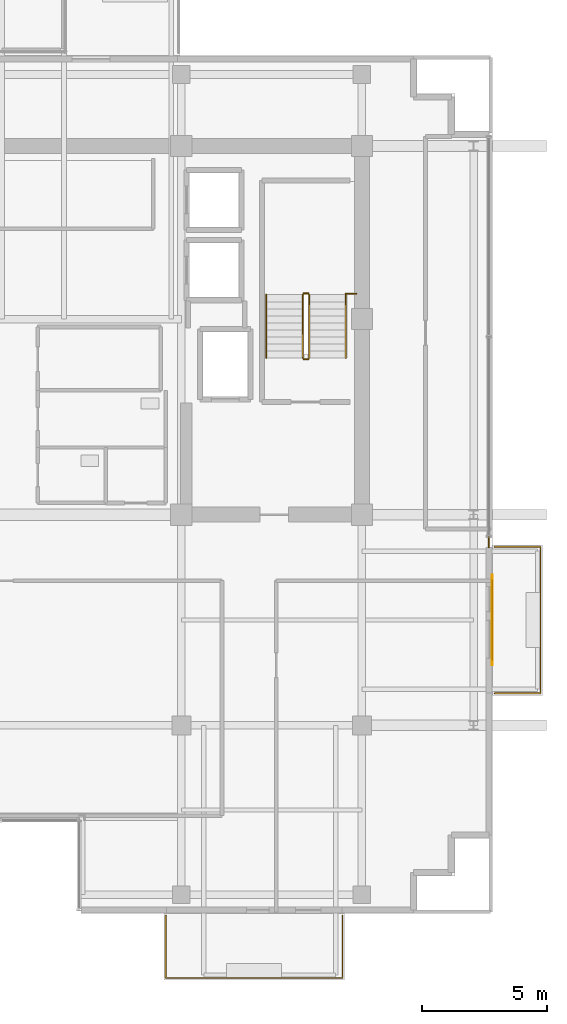
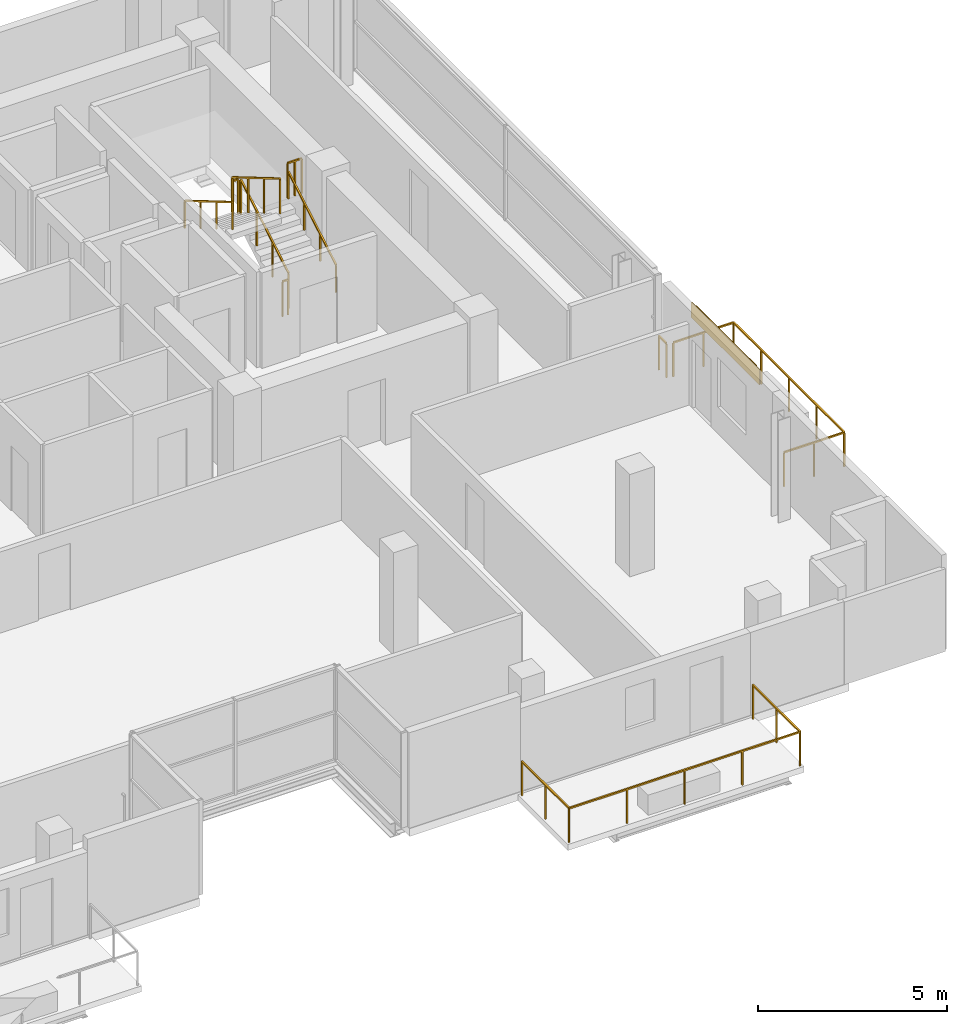
# One storey, part 22 of 24: 10 railings, 1 covering, 1 shading device.
"""IFC4 building model written with IfcOpenShell, lengths in metres."""

from ifc_helpers import new_model, si_unit, direction, frame, origin, origin_2d, place, context, subcontext, project, spatial, rectangle, extrude, source, transform, mapped, material, layer, layer_set, type_object, element, save


model = new_model("IFC4")

# Units and contexts
model_context = context("Model", 3, precision=1e-05, world=origin(), true_north=direction((0.0, 1.0)))
body_context = subcontext(model_context, "Body", "Model", "MODEL_VIEW")
ifc_project = project(units=[si_unit("LENGTHUNIT", "METRE"), si_unit("AREAUNIT", "SQUARE_METRE"), si_unit("VOLUMEUNIT", "CUBIC_METRE"), si_unit("PLANEANGLEUNIT", "RADIAN"), si_unit("MASSUNIT", "GRAM", prefix="KILO")], contexts=[model_context])

# Site, building, storey
site_placement = place(None, origin())
site = spatial("IfcSite", under=ifc_project, at=site_placement, CompositionType="ELEMENT")
building_placement = place(site_placement, origin())
building = spatial("IfcBuilding", under=site, at=building_placement, Name="Zarnakvel Exchange Tower", CompositionType="ELEMENT")
storey_placement = place(building_placement, frame((0.0, 0.0, 205.60009765625)))
storey = spatial("IfcBuildingStorey", under=building, at=storey_placement, Name="L57", CompositionType="ELEMENT", Elevation=205.60009765625)

# Railings
ifc_material_1 = material(Name="Architectural Bronze Anodised Aluminium", Category="aluminium")
railing_type_1 = type_object("IfcRailingType", Name="GR-02", PredefinedType="GUARDRAIL", material=ifc_material_1)
railing_1_placement = place(storey_placement, frame((6.580078125, -17.179931640625, -0.06005859375)))
element("IfcRailing", 1, at=railing_1_placement, inside=storey, type_object=railing_type_1, Name="L57 Balcony Guardrail BAL-L57-SE", PredefinedType="GUARDRAIL", context=body_context, shape_type="SweptSolid", body=[
    extrude(rectangle(XDim=0.048095703125, YDim=0.048095703125, at=origin_2d()), frame((0.0, 0.0, 1.09619140625), z_axis=(0.0, -1.0, 0.0), x_axis=(1.0, 0.0, 0.0)), (0.0, 0.0, 1.0), 2.489990234375),
    extrude(rectangle(XDim=0.048095703125, YDim=0.048095703125, at=origin_2d()), frame((0.0, -2.489990234375, 1.09619140625), z_axis=(1.0, 0.0, 0.0), x_axis=(0.0, 1.0, 0.0)), (0.0, 0.0, 1.0), 7.0400390625),
    extrude(rectangle(XDim=0.048095703125, YDim=0.048095703125, at=origin_2d()), frame((7.0400390625, -2.489990234375, 1.09619140625), z_axis=(0.0, 1.0, 0.0), x_axis=(-1.0, 0.0, 0.0)), (0.0, 0.0, 1.0), 2.489990234375),
    extrude(rectangle(XDim=0.0419921875, YDim=0.0419921875, at=origin_2d()), origin(), (0.0, 0.0, 1.0), 1.072021484375),
    extrude(rectangle(XDim=0.0419921875, YDim=0.0419921875, at=origin_2d()), frame((0.0, -1.2451171875, 0.0)), (0.0, 0.0, 1.0), 1.072021484375),
    extrude(rectangle(XDim=0.0419921875, YDim=0.0419921875, at=origin_2d()), frame((0.0, -2.489990234375, 0.0)), (0.0, 0.0, 1.0), 1.072021484375),
    extrude(rectangle(XDim=0.0419921875, YDim=0.0419921875, at=origin_2d()), frame((1.760009765625, -2.489990234375, 0.0)), (0.0, 0.0, 1.0), 1.072021484375),
    extrude(rectangle(XDim=0.0419921875, YDim=0.0419921875, at=origin_2d()), frame((3.52001953125, -2.489990234375, 0.0)), (0.0, 0.0, 1.0), 1.072021484375),
    extrude(rectangle(XDim=0.0419921875, YDim=0.0419921875, at=origin_2d()), frame((5.280029296875, -2.489990234375, 0.0)), (0.0, 0.0, 1.0), 1.072021484375),
    extrude(rectangle(XDim=0.0419921875, YDim=0.0419921875, at=origin_2d()), frame((7.0400390625, -2.489990234375, 0.0)), (0.0, 0.0, 1.0), 1.072021484375),
    extrude(rectangle(XDim=0.0419921875, YDim=0.0419921875, at=origin_2d()), frame((7.0400390625, -1.2451171875, 0.0)), (0.0, 0.0, 1.0), 1.072021484375),
    extrude(rectangle(XDim=0.0419921875, YDim=0.0419921875, at=origin_2d()), frame((7.0400390625, 0.0, 0.0)), (0.0, 0.0, 1.0), 1.072021484375),
])
railing_2_placement = place(storey_placement, frame((19.679931640625, -8.320068359375, -0.06005859375)))
element("IfcRailing", 2, at=railing_2_placement, inside=storey, type_object=railing_type_1, Name="L57 Balcony Guardrail BAL-L57-E", PredefinedType="GUARDRAIL", context=body_context, shape_type="SweptSolid", body=[
    extrude(rectangle(XDim=0.048095703125, YDim=0.048095703125, at=origin_2d()), frame((0.0, 0.0, 1.09619140625), z_axis=(1.0, 0.0, 0.0), x_axis=(0.0, 1.0, 0.0)), (0.0, 0.0, 1.0), 1.840087890625),
    extrude(rectangle(XDim=0.048095703125, YDim=0.048095703125, at=origin_2d()), frame((1.840087890625, 0.0, 1.09619140625), z_axis=(0.0, 1.0, 0.0), x_axis=(-1.0, 0.0, 0.0)), (0.0, 0.0, 1.0), 5.840087890625),
    extrude(rectangle(XDim=0.048095703125, YDim=0.048095703125, at=origin_2d()), frame((1.840087890625, 5.840087890625, 1.09619140625), z_axis=(-1.0, 0.0, 0.0), x_axis=(0.0, -1.0, 0.0)), (0.0, 0.0, 1.0), 1.840087890625),
    extrude(rectangle(XDim=0.0419921875, YDim=0.0419921875, at=origin_2d()), origin(), (0.0, 0.0, 1.0), 1.072021484375),
    extrude(rectangle(XDim=0.0419921875, YDim=0.0419921875, at=origin_2d()), frame((0.919921875, 0.0, 0.0)), (0.0, 0.0, 1.0), 1.072021484375),
    extrude(rectangle(XDim=0.0419921875, YDim=0.0419921875, at=origin_2d()), frame((1.840087890625, 0.0, 0.0)), (0.0, 0.0, 1.0), 1.072021484375),
    extrude(rectangle(XDim=0.0419921875, YDim=0.0419921875, at=origin_2d()), frame((1.840087890625, 1.4599609375, 0.0)), (0.0, 0.0, 1.0), 1.072021484375),
    extrude(rectangle(XDim=0.0419921875, YDim=0.0419921875, at=origin_2d()), frame((1.840087890625, 2.919921875, 0.0)), (0.0, 0.0, 1.0), 1.072021484375),
    extrude(rectangle(XDim=0.0419921875, YDim=0.0419921875, at=origin_2d()), frame((1.840087890625, 4.380126953125, 0.0)), (0.0, 0.0, 1.0), 1.072021484375),
    extrude(rectangle(XDim=0.0419921875, YDim=0.0419921875, at=origin_2d()), frame((1.840087890625, 5.840087890625, 0.0)), (0.0, 0.0, 1.0), 1.072021484375),
    extrude(rectangle(XDim=0.0419921875, YDim=0.0419921875, at=origin_2d()), frame((0.919921875, 5.840087890625, 0.0)), (0.0, 0.0, 1.0), 1.072021484375),
    extrude(rectangle(XDim=0.0419921875, YDim=0.0419921875, at=origin_2d()), frame((0.0, 5.840087890625, 0.0)), (0.0, 0.0, 1.0), 1.072021484375),
])
railing_3_placement = place(storey_placement, frame((19.4599609375, -2.10009765625, 0.0)))
element("IfcRailing", 3, at=railing_3_placement, inside=storey, type_object=railing_type_1, Name="L57 Corner Spandrel Balustrade #11", PredefinedType="GUARDRAIL", context=body_context, shape_type="SweptSolid", body=[
    extrude(rectangle(XDim=0.048095703125, YDim=0.048095703125, at=origin_2d()), frame((0.0, 0.0, 1.09619140625), z_axis=(0.0, -1.0, 0.0), x_axis=(1.0, 0.0, 0.0)), (0.0, 0.0, 1.0), 0.39990234375),
    extrude(rectangle(XDim=0.0419921875, YDim=0.0419921875, at=origin_2d()), origin(), (0.0, 0.0, 1.0), 1.072021484375),
    extrude(rectangle(XDim=0.0419921875, YDim=0.0419921875, at=origin_2d()), frame((0.0, -0.39990234375, 0.0)), (0.0, 0.0, 1.0), 1.072021484375),
])
ifc_material_2 = material(Name="Brushed Stainless Steel", Category="steel")
railing_type_2 = type_object("IfcRailingType", Name="HR-01", PredefinedType="HANDRAIL", material=ifc_material_2)
railing_4_placement = place(storey_placement, frame((13.75, 5.050048828125, 0.164794921875)))
element("IfcRailing", 4, at=railing_4_placement, inside=storey, type_object=railing_type_2, Name="L57 ST-02 stair handrail 1", PredefinedType="HANDRAIL", context=body_context, shape_type="SweptSolid", body=[
    extrude(rectangle(XDim=0.048095703125, YDim=0.048095703125, at=origin_2d()), frame((0.0, 0.0, 0.8759765625), z_axis=(0.0, 0.86152411907, 0.507716645641), x_axis=(-1.0, 0.0, 0.0)), (0.0, 0.0, 1.0), 2.925048828125),
    extrude(rectangle(XDim=0.0419921875, YDim=0.0419921875, at=origin_2d()), origin(), (0.0, 0.0, 1.0), 0.851806640625),
    extrude(rectangle(XDim=0.0419921875, YDim=0.0419921875, at=origin_2d()), frame((0.0, 0.840087890625, 0.4951171875)), (0.0, 0.0, 1.0), 0.851806640625),
    extrude(rectangle(XDim=0.0419921875, YDim=0.0419921875, at=origin_2d()), frame((0.0, 1.679931640625, 0.989990234375)), (0.0, 0.0, 1.0), 0.851806640625),
    extrude(rectangle(XDim=0.0419921875, YDim=0.0419921875, at=origin_2d()), frame((0.0, 2.52001953125, 1.485107421875)), (0.0, 0.0, 1.0), 0.851806640625),
])
railing_5_placement = place(storey_placement, frame((10.590087890625, 7.570068359375, 1.81494140625)))
element("IfcRailing", 5, at=railing_5_placement, inside=storey, type_object=railing_type_2, Name="L57 ST-02 stair handrail 2", PredefinedType="HANDRAIL", context=body_context, shape_type="SweptSolid", body=[
    extrude(rectangle(XDim=0.048095703125, YDim=0.048095703125, at=origin_2d()), frame((0.0, 0.0, 0.8759765625), z_axis=(0.0, -0.861560626758, 0.507654692109), x_axis=(1.0, 0.0, 0.0)), (0.0, 0.0, 1.0), 2.925048828125),
    extrude(rectangle(XDim=0.0419921875, YDim=0.0419921875, at=origin_2d()), origin(), (0.0, 0.0, 1.0), 0.851806640625),
    extrude(rectangle(XDim=0.0419921875, YDim=0.0419921875, at=origin_2d()), frame((0.0, -0.840087890625, 0.494873046875)), (0.0, 0.0, 1.0), 0.851806640625),
    extrude(rectangle(XDim=0.0419921875, YDim=0.0419921875, at=origin_2d()), frame((0.0, -1.679931640625, 0.989990234375)), (0.0, 0.0, 1.0), 0.851806640625),
    extrude(rectangle(XDim=0.0419921875, YDim=0.0419921875, at=origin_2d()), frame((0.0, -2.52001953125, 1.48486328125)), (0.0, 0.0, 1.0), 0.851806640625),
])
railing_type_3 = type_object("IfcRailingType", Name="SG-01", PredefinedType="GUARDRAIL", material=ifc_material_1)
railing_6_placement = place(storey_placement, frame((12.300048828125, 5.050048828125, 0.164794921875)))
element("IfcRailing", 6, at=railing_6_placement, inside=storey, type_object=railing_type_3, Name="L57 ST-02 stair guard 1", PredefinedType="GUARDRAIL", context=body_context, shape_type="SweptSolid", body=[
    extrude(rectangle(XDim=0.048095703125, YDim=0.048095703125, at=origin_2d()), frame((0.0, 0.0, 1.1259765625), z_axis=(0.0, 0.86152411907, 0.507716645641), x_axis=(-1.0, 0.0, 0.0)), (0.0, 0.0, 1.0), 2.925048828125),
    extrude(rectangle(XDim=0.0419921875, YDim=0.0419921875, at=origin_2d()), origin(), (0.0, 0.0, 1.0), 1.101806640625),
    extrude(rectangle(XDim=0.0419921875, YDim=0.0419921875, at=origin_2d()), frame((0.0, 0.840087890625, 0.4951171875)), (0.0, 0.0, 1.0), 1.101806640625),
    extrude(rectangle(XDim=0.0419921875, YDim=0.0419921875, at=origin_2d()), frame((0.0, 1.679931640625, 0.989990234375)), (0.0, 0.0, 1.0), 1.101806640625),
    extrude(rectangle(XDim=0.0419921875, YDim=0.0419921875, at=origin_2d()), frame((0.0, 2.52001953125, 1.485107421875)), (0.0, 0.0, 1.0), 1.101806640625),
])
railing_7_placement = place(storey_placement, frame((12.25, 7.6201171875, 1.64990234375)))
element("IfcRailing", 7, at=railing_7_placement, inside=storey, type_object=railing_type_3, Name="L57 ST-02 stair guard 2", PredefinedType="GUARDRAIL", context=body_context, shape_type="SweptSolid", body=[
    extrude(rectangle(XDim=0.048095703125, YDim=0.048095703125, at=origin_2d()), frame((0.0, 0.0, 1.1259765625), z_axis=(-1.0, 0.0, 0.0), x_axis=(0.0, -1.0, 0.0)), (0.0, 0.0, 1.0), 0.159912109375),
    extrude(rectangle(XDim=0.0419921875, YDim=0.0419921875, at=origin_2d()), origin(), (0.0, 0.0, 1.0), 1.101806640625),
    extrude(rectangle(XDim=0.0419921875, YDim=0.0419921875, at=origin_2d()), frame((-0.159912109375, 0.0, 0.0)), (0.0, 0.0, 1.0), 1.101806640625),
])
railing_8_placement = place(storey_placement, frame((12.0400390625, 7.570068359375, 1.81494140625)))
element("IfcRailing", 8, at=railing_8_placement, inside=storey, type_object=railing_type_3, Name="L57 ST-02 stair guard 3", PredefinedType="GUARDRAIL", context=body_context, shape_type="SweptSolid", body=[
    extrude(rectangle(XDim=0.048095703125, YDim=0.048095703125, at=origin_2d()), frame((0.0, 0.0, 1.1259765625), z_axis=(0.0, -0.861560626758, 0.507654692109), x_axis=(1.0, 0.0, 0.0)), (0.0, 0.0, 1.0), 2.925048828125),
    extrude(rectangle(XDim=0.0419921875, YDim=0.0419921875, at=origin_2d()), origin(), (0.0, 0.0, 1.0), 1.101806640625),
    extrude(rectangle(XDim=0.0419921875, YDim=0.0419921875, at=origin_2d()), frame((0.0, -0.840087890625, 0.494873046875)), (0.0, 0.0, 1.0), 1.101806640625),
    extrude(rectangle(XDim=0.0419921875, YDim=0.0419921875, at=origin_2d()), frame((0.0, -1.679931640625, 0.989990234375)), (0.0, 0.0, 1.0), 1.101806640625),
    extrude(rectangle(XDim=0.0419921875, YDim=0.0419921875, at=origin_2d()), frame((0.0, -2.52001953125, 1.48486328125)), (0.0, 0.0, 1.0), 1.101806640625),
])
railing_9_placement = place(storey_placement, frame((12.25, 5.0, 0.0)))
element("IfcRailing", 9, at=railing_9_placement, inside=storey, type_object=railing_type_3, Name="L57 ST-02 stair guard 4", PredefinedType="GUARDRAIL", context=body_context, shape_type="SweptSolid", body=[
    extrude(rectangle(XDim=0.048095703125, YDim=0.048095703125, at=origin_2d()), frame((0.0, 0.0, 1.1259765625), z_axis=(-1.0, 0.0, 0.0), x_axis=(0.0, -1.0, 0.0)), (0.0, 0.0, 1.0), 0.159912109375),
    extrude(rectangle(XDim=0.0419921875, YDim=0.0419921875, at=origin_2d()), origin(), (0.0, 0.0, 1.0), 1.101806640625),
    extrude(rectangle(XDim=0.0419921875, YDim=0.0419921875, at=origin_2d()), frame((-0.159912109375, 0.0, 0.0)), (0.0, 0.0, 1.0), 1.101806640625),
])
railing_10_placement = place(storey_placement, frame((13.75, 7.610107421875, 1.64990234375)))
element("IfcRailing", 10, at=railing_10_placement, inside=storey, type_object=railing_type_3, Name="L57 ST-02 Landing Slot Guardrail", PredefinedType="GUARDRAIL", context=body_context, shape_type="SweptSolid", body=[
    extrude(rectangle(XDim=0.048095703125, YDim=0.048095703125, at=origin_2d()), frame((0.0, 0.0, 1.1259765625), z_axis=(1.0, 0.0, 0.0), x_axis=(0.0, 1.0, 0.0)), (0.0, 0.0, 1.0), 0.429931640625),
    extrude(rectangle(XDim=0.0419921875, YDim=0.0419921875, at=origin_2d()), origin(), (0.0, 0.0, 1.0), 1.101806640625),
    extrude(rectangle(XDim=0.0419921875, YDim=0.0419921875, at=origin_2d()), frame((0.21484375, 0.0, 0.0)), (0.0, 0.0, 1.0), 1.101806640625),
    extrude(rectangle(XDim=0.0419921875, YDim=0.0419921875, at=origin_2d()), frame((0.429931640625, 0.0, 0.0)), (0.0, 0.0, 1.0), 1.101806640625),
])

# Shading device
ifc_material_3 = material(Name="Perforated Architectural Bronze Screen", Category="aluminium")
ifc_layer_1 = layer(ifc_material_3, 0.044921875)
ifc_layer_set_1 = layer_set([ifc_layer_1], Name="Perforated Architectural Bronze Screen")
shading_device_type = type_object("IfcShadingDeviceType", Name="SS-01", PredefinedType="JALOUSIE", material=ifc_layer_set_1)
shared_shape_1 = source(origin(), body_context, "Body", "SweptSolid", [
    extrude(rectangle(XDim=3.199951171875, YDim=0.044921875, at=origin_2d()), origin(), (0.0, 0.0, 1.0), 0.4951171875),
])
shading_device_placement = place(storey_placement, frame((19.6005859375, -5.39990234375, 2.559814453125), z_axis=(0.0, 0.0, 1.0), x_axis=(0.0, -1.0, 0.0)))
element("IfcShadingDevice", 11, at=shading_device_placement, inside=storey, type_object=shading_device_type, Name="L57 Bronze Solar Shading Screen SS-01", PredefinedType="JALOUSIE", context=body_context, shape_type="MappedRepresentation", body=[
    mapped(shared_shape_1, transform((0.0, 0.0, 0.0), x_axis=(1.0, 0.0, 0.0), y_axis=(0.0, 1.0, 0.0), z_axis=(0.0, 0.0, 1.0), scale=1.0)),
])

# Covering
ifc_material_4 = material(Name="Glazed Turquoise Ceramic Architectural Tile", Category="ceramic")
ifc_layer_2 = layer(ifc_material_4, 0.028076171875)
ifc_layer_set_2 = layer_set([ifc_layer_2], Name="Glazed Turquoise Ceramic Architectural Tile")
covering_type = type_object("IfcCoveringType", Name="CL-01", PredefinedType="CLADDING", material=ifc_layer_set_2)
shared_shape_2 = source(origin(), body_context, "Body", "SweptSolid", [
    extrude(rectangle(XDim=3.60009765625, YDim=0.028076171875, at=origin_2d()), origin(), (0.0, 0.0, 1.0), 0.4951171875),
])
covering_placement = place(storey_placement, frame((19.592041015625, -5.39990234375, 2.559814453125), z_axis=(0.0, 0.0, 1.0), x_axis=(0.0, -1.0, 0.0)))
element("IfcCovering", 12, at=covering_placement, inside=storey, type_object=covering_type, Name="L57 Ceramic Spandrel Tilework CL-01", PredefinedType="CLADDING", context=body_context, shape_type="MappedRepresentation", body=[
    mapped(shared_shape_2, transform((0.0, 0.0, 0.0), x_axis=(1.0, 0.0, 0.0), y_axis=(0.0, 1.0, 0.0), z_axis=(0.0, 0.0, 1.0), scale=1.0)),
])

save(model, "model.ifc")
